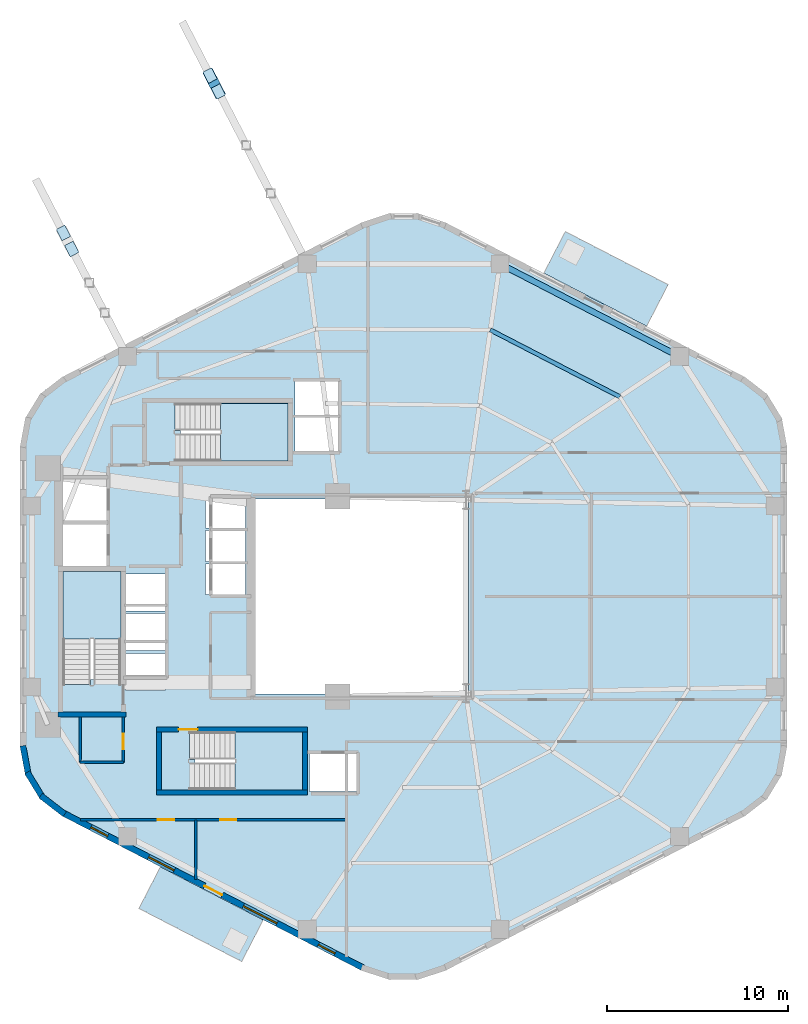
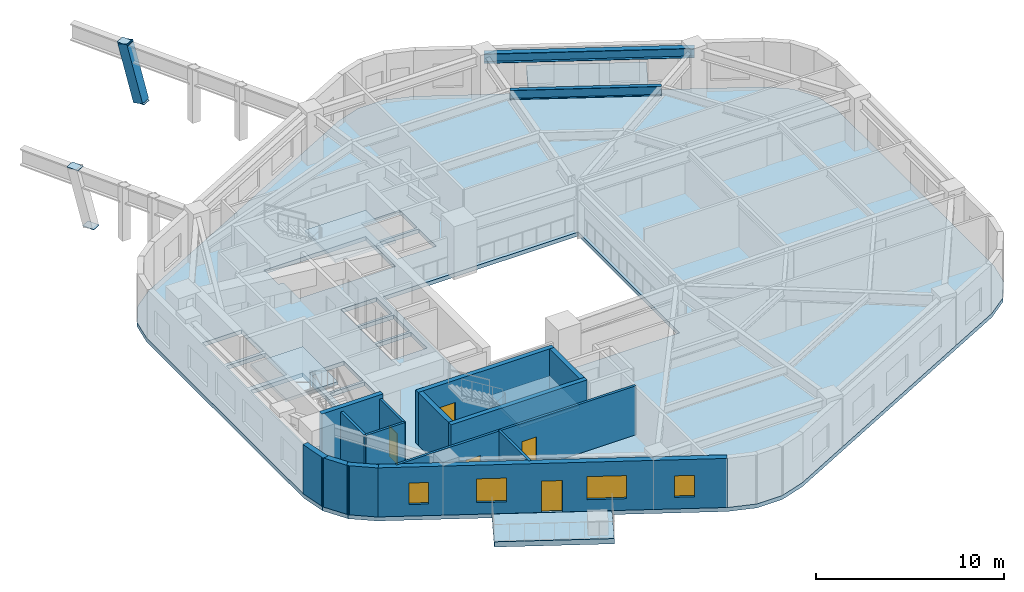
# One storey, part 2 of 8: 14 walls, 6 slabs, 5 doors, 4 plates, 4 windows, 2 beams, 1 member, 9 openings, 3 elements without a shape of their own.
"""IFC4 building model written with IfcOpenShell, lengths in metres."""

from ifc_helpers import new_model, si_unit, direction, frame, frame_2d, origin, origin_2d, place, context, subcontext, project, spatial, polyline, rectangle, hollow_rectangle, i_section, outline, extrude, material, layer, layer_set, material_profile, profile_set, type_object, element, fill, aggregate, save


model = new_model("IFC4")

# Units and contexts
model_context = context("Model", 3, precision=1e-05, world=origin(), true_north=direction((0.0, 1.0)))
body_context = subcontext(model_context, "Body", "Model", "MODEL_VIEW")
ifc_project = project(units=[si_unit("LENGTHUNIT", "METRE"), si_unit("AREAUNIT", "SQUARE_METRE"), si_unit("VOLUMEUNIT", "CUBIC_METRE"), si_unit("PLANEANGLEUNIT", "RADIAN"), si_unit("MASSUNIT", "GRAM", prefix="KILO"), si_unit("THERMODYNAMICTEMPERATUREUNIT", "KELVIN"), si_unit("POWERUNIT", "WATT")], contexts=[model_context])

# Site, building, storey
site_placement = place(None, origin())
site = spatial("IfcSite", under=ifc_project, at=site_placement, CompositionType="ELEMENT")
building_placement = place(site_placement, origin())
building = spatial("IfcBuilding", under=site, at=building_placement, Name="Skarre Station Tower", CompositionType="ELEMENT")
storey_placement = place(building_placement, frame((0.0, 0.0, 132.60009765625)))
storey = spatial("IfcBuildingStorey", under=building, at=storey_placement, Name="L35", CompositionType="ELEMENT", Elevation=132.60009765625)

# Beams
ifc_material_1 = material(Name="Steel ASTM A992 Grade 50", Category="steel")
ifc_material_profile_1 = material_profile(ifc_material_1, i_section(OverallWidth=0.22802734375, OverallDepth=0.60791015625, WebThickness=0.010986328125, FlangeThickness=0.01708984375, at=origin_2d()), Name="Steel ASTM A992 Grade 50")
ifc_profile_set_1 = profile_set([ifc_material_profile_1], Name="Steel ASTM A992 Grade 50")
beam_type_1 = type_object("IfcBeamType", Name="Steel Joist W24X76", PredefinedType="JOIST", material=ifc_profile_set_1)
beam_1_placement = place(storey_placement, frame((47.97607421875, 35.056884765625, 2.885986328125), z_axis=(-0.888599977053, 0.458682985057, 0.0), x_axis=(-0.458682985057, -0.888599977053, 0.0)))
element("IfcBeam", 1, at=beam_1_placement, inside=storey, type_object=beam_type_1, Name="L35 Secondary Floor Joist 2", PredefinedType="JOIST", context=body_context, shape_type="SweptSolid", body=[
    extrude(i_section(OverallWidth=0.22802734375, OverallDepth=0.60791015625, WebThickness=0.010986328125, FlangeThickness=0.01708984375, at=origin_2d()), origin(), (0.0, 0.0, 1.0), 8.0712890625),
])
ifc_material_profile_2 = material_profile(ifc_material_1, i_section(OverallWidth=0.327880859375, OverallDepth=0.6279296875, WebThickness=0.01708984375, FlangeThickness=0.028076171875, at=origin_2d()), Name="Steel ASTM A992 Grade 50")
ifc_profile_set_2 = profile_set([ifc_material_profile_2], Name="Steel ASTM A992 Grade 50")
beam_type_2 = type_object("IfcBeamType", Name="Steel Spandrel W24X146", PredefinedType="SPANDREL", material=ifc_profile_set_2)
beam_2_placement = place(storey_placement, frame((51.291015625, 37.277099609375, 2.8759765625), z_axis=(-0.888611779493, 0.458660119639, 0.0), x_axis=(-0.458660119639, -0.888611779493, 0.0)))
element("IfcBeam", 2, at=beam_2_placement, inside=storey, type_object=beam_type_2, Name="L35 Facet Spandrel Beam 1", PredefinedType="SPANDREL", context=body_context, shape_type="SweptSolid", body=[
    extrude(i_section(OverallWidth=0.327880859375, OverallDepth=0.6279296875, WebThickness=0.01708984375, FlangeThickness=0.028076171875, at=origin_2d()), origin(), (0.0, 0.0, 1.0), 11.20849609375),
])

# Member
ifc_material_2 = material(Name="Steel ASTM A501 Grade B", Category="steel")
ifc_material_profile_3 = material_profile(ifc_material_2, hollow_rectangle(XDim=0.60009765625, YDim=0.60009765625, WallThickness=0.028076171875, at=origin_2d()), Name="Steel ASTM A501 Grade B")
ifc_profile_set_3 = profile_set([ifc_material_profile_3], Name="Steel ASTM A501 Grade B")
member_type = type_object("IfcMemberType", Name="Steel Truss Strut HSS600X600X28", PredefinedType="STRUT", material=ifc_profile_set_3)
member_placement = place(storey_placement, frame((25.748046875, 51.952880859375, -0.280029296875), z_axis=(-0.127102829412, 0.24595749649, 0.960910911935), x_axis=(-0.888389389579, -0.459090723587, 0.0)))
element("IfcMember", 3, at=member_placement, inside=storey, type_object=member_type, Name="L35 SB-3 Exoskeleton Raking Strut Tier 3 S1", PredefinedType="STRUT", context=body_context, shape_type="SweptSolid", body=[
    extrude(hollow_rectangle(XDim=0.60009765625, YDim=0.60009765625, WallThickness=0.028076171875, at=origin_2d()), origin(), (0.0, 0.0, 1.0), 3.611083984375),
])

# Plates
ifc_material_3 = material(Name="Steel ASTM A572 Grade 50", Category="steel")
ifc_layer_1 = layer(ifc_material_3, 0.031982421875, Name="Steel ASTM A572 Grade 50")
ifc_layer_set_1 = layer_set([ifc_layer_1], Name="Steel ASTM A572 Grade 50")
plate_type = type_object("IfcPlateType", Name="Exoskeleton Strut Cap Plate 700x540x32", PredefinedType="USERDEFINED", material=ifc_layer_set_1)
for number, where, z_axis, x_axis, name in (
    (4, (25.748046875, 51.952880859375, -0.2861328125), (0.0, 0.0, 1.0), (-0.458649554484, 0.888617232655, 0.0), "L35 SB-3 Exoskeleton Tier-3 Base Gusset S1"),
    (5, (25.2890625, 52.841064453125, 3.1640625), (0.0, 0.0, 1.0), (-0.458649554484, 0.888617232655, 0.0), "L35 SB-3 Exoskeleton Tier-3 Head Gusset S1"),
    (6, (17.631103515625, 43.239990234375, -0.2861328125), (0.0, 0.0, 1.0), (-0.458649554484, 0.888617232655, 0.0), "L35 SB-3 Exoskeleton Tier-3 Base Gusset S2"),
    (7, (17.173095703125, 44.1279296875, 3.1640625), (0.0, 0.0, 1.0), (-0.458649554484, 0.888617232655, 0.0), "L35 SB-3 Exoskeleton Tier-3 Head Gusset S2"),
):
    element("IfcPlate", number, at=place(storey_placement, frame(where, z_axis=z_axis, x_axis=x_axis)), inside=storey, type_object=plate_type, Name=name, ObjectType="STIFFENER_PLATE", PredefinedType="USERDEFINED", context=body_context, shape_type="SweptSolid", body=[
        extrude(rectangle(XDim=0.699951171875, YDim=0.5400390625, at=origin_2d()), origin(), (0.0, 0.0, 1.0), 0.031982421875),
    ])

# Slabs
ifc_material_4 = material(Name="Precast concrete C50/60", Category="concrete")
ifc_layer_2 = layer(ifc_material_4, 0.340087890625, Name="Precast concrete C50/60")
ifc_layer_set_2 = layer_set([ifc_layer_2], Name="Precast concrete C50/60")
slab_type_1 = type_object("IfcSlabType", Name="Planted Tree-Balcony Cantilever Slab 340", PredefinedType="FLOOR", material=ifc_layer_set_2)
slab_1_placement = place(storey_placement, frame((0.0, 0.0, -0.340087890625)))
element("IfcSlab", 8, at=slab_1_placement, inside=storey, type_object=slab_type_1, Name="L35 Planted Tree-Balcony Deck TB-L35-F0", PredefinedType="FLOOR", context=body_context, shape_type="SweptSolid", body=[
    extrude(outline(polyline([(49.45703125, 38.966064453125), (43.77001953125, 41.902099609375), (44.9580078125, 44.202880859375), (50.64501953125, 41.26806640625), (49.45703125, 38.966064453125)])), origin(), (0.0, 0.0, 1.0), 0.340087890625),
])
slab_2_placement = place(storey_placement, frame((0.0, 0.0, -0.340087890625)))
element("IfcSlab", 9, at=slab_2_placement, inside=storey, type_object=slab_type_1, Name="L35 Planted Tree-Balcony Deck TB-L35-F3", PredefinedType="FLOOR", context=body_context, shape_type="SweptSolid", body=[
    extrude(outline(polyline([(22.54296875, 9.033935546875), (28.22998046875, 6.097900390625), (27.0419921875, 3.797119140625), (21.35498046875, 6.73193359375), (22.54296875, 9.033935546875)])), origin(), (0.0, 0.0, 1.0), 0.340087890625),
])

# Stair, slab
ifc_material_5 = material(Name="Concrete C40/50", Category="concrete")
stair_type_1 = type_object("IfcStairType", Name="Reinforced Concrete Exit Stair ST-1", PredefinedType="HALF_TURN_STAIR", material=ifc_material_5)
stair_1_placement = place(storey_placement, origin())
stair_1 = element("IfcStair", 10, at=stair_1_placement, inside=storey, type_object=stair_type_1, Name="L35 Core Exit Stair ST-1", PredefinedType="HALF_TURN_STAIR")
ifc_layer_3 = layer(ifc_material_5, 0.219970703125, Name="Concrete C40/50")
ifc_layer_set_3 = layer_set([ifc_layer_3], Name="Concrete C40/50")
slab_type_2 = type_object("IfcSlabType", Name="Reinforced Concrete Stair & Ramp Landing 220", PredefinedType="LANDING", material=ifc_layer_set_3)
slab_3_placement = place(storey_placement, frame((0.0, 0.0, 1.52490234375)))
slab_3 = element("IfcSlab", 11, at=slab_3_placement, type_object=slab_type_2, Name="ST-1 landing 1", PredefinedType="LANDING", context=body_context, shape_type="SweptSolid", body=[
    extrude(outline(polyline([(20.35009765625, 21.639892578125), (20.35009765625, 25.39990234375), (17.14990234375, 25.39990234375), (17.14990234375, 21.639892578125), (20.35009765625, 21.639892578125)])), origin(), (0.0, 0.0, 1.0), 0.199951171875),
])
aggregate(stair_1, [slab_3])

stair_type_2 = type_object("IfcStairType", Name="Reinforced Concrete Exit Stair ST-2", PredefinedType="HALF_TURN_STAIR", material=ifc_material_5)
stair_2_placement = place(storey_placement, origin())
stair_2 = element("IfcStair", 12, at=stair_2_placement, inside=storey, type_object=stair_type_2, Name="L35 Core Exit Stair ST-2", PredefinedType="HALF_TURN_STAIR")
slab_4_placement = place(storey_placement, frame((0.0, 0.0, 1.52490234375)))
slab_4 = element("IfcSlab", 13, at=slab_4_placement, type_object=slab_type_2, Name="ST-2 landing 1", PredefinedType="LANDING", context=body_context, shape_type="SweptSolid", body=[
    extrude(outline(polyline([(26.669921875, 13.300048828125), (30.39990234375, 13.300048828125), (30.39990234375, 16.5), (26.669921875, 16.5), (26.669921875, 13.300048828125)])), origin(), (0.0, 0.0, 1.0), 0.199951171875),
])
aggregate(stair_2, [slab_4])

stair_type_3 = type_object("IfcStairType", Name="Reinforced Concrete Exit Stair ST-3", PredefinedType="HALF_TURN_STAIR", material=ifc_material_5)
stair_3_placement = place(storey_placement, origin())
stair_3 = element("IfcStair", 14, at=stair_3_placement, inside=storey, type_object=stair_type_3, Name="L35 Core Exit Stair ST-3", PredefinedType="HALF_TURN_STAIR")
slab_5_placement = place(storey_placement, frame((0.0, 0.0, 1.52490234375)))
slab_5 = element("IfcSlab", 15, at=slab_5_placement, type_object=slab_type_2, Name="ST-3 landing 1", PredefinedType="LANDING", context=body_context, shape_type="SweptSolid", body=[
    extrude(outline(polyline([(25.8701171875, 31.5), (29.60009765625, 31.5), (29.60009765625, 34.699951171875), (25.8701171875, 34.699951171875), (25.8701171875, 31.5)])), origin(), (0.0, 0.0, 1.0), 0.199951171875),
])
aggregate(stair_3, [slab_5])

# Slab
ifc_material_6 = material(Name="Concrete C50/60", Category="concrete")
ifc_layer_4 = layer(ifc_material_6, 0.260009765625, Name="Concrete C50/60")
ifc_layer_set_4 = layer_set([ifc_layer_4], Name="Concrete C50/60")
slab_type_3 = type_object("IfcSlabType", Name="Tower Typical Composite Floor Slab 260", PredefinedType="FLOOR", material=ifc_layer_set_4)
slab_6_placement = place(storey_placement, frame((0.0, 0.0, -0.260009765625)))
element("IfcSlab", 16, at=slab_6_placement, inside=storey, type_object=slab_type_3, Name="L35 Zone 2 Structural Floor Slab", PredefinedType="FLOOR", context=body_context, shape_type="SweptSolid", body=[
    extrude(outline(polyline([(57.218017578125, 32.35205078125), (56.93701171875, 33.873046875), (56.132080078125, 35.194091796875), (54.908935546875, 36.14111328125), (38.30908203125, 44.708984375), (36.7958984375, 45.2060546875), (35.2041015625, 45.2060546875), (33.69091796875, 44.708984375), (17.091064453125, 36.14111328125), (15.867919921875, 35.194091796875), (15.06298828125, 33.873046875), (14.781982421875, 32.35205078125), (14.781982421875, 15.64794921875), (15.06298828125, 14.126953125), (15.867919921875, 12.805908203125), (17.091064453125, 11.85888671875), (33.69091796875, 3.291015625), (35.2041015625, 2.7939453125), (36.7958984375, 2.7939453125), (38.30908203125, 3.291015625), (54.908935546875, 11.85888671875), (56.132080078125, 12.805908203125), (56.93701171875, 14.126953125), (57.218017578125, 15.64794921875), (57.218017578125, 32.35205078125)]), holes=[polyline([(18.669921875, 19.419921875), (18.669921875, 19.123046875), (17.14990234375, 19.123046875), (17.14990234375, 25.39990234375), (20.35009765625, 25.39990234375), (20.35009765625, 19.419921875), (18.669921875, 19.419921875)]), polyline([(24.449951171875, 14.97998046875), (24.153076171875, 14.97998046875), (24.153076171875, 16.5), (30.39990234375, 16.5), (30.39990234375, 13.300048828125), (24.449951171875, 13.300048828125), (24.449951171875, 14.97998046875)]), polyline([(23.64990234375, 33.179931640625), (23.35302734375, 33.179931640625), (23.35302734375, 34.699951171875), (29.60009765625, 34.699951171875), (29.60009765625, 31.5), (23.64990234375, 31.5), (23.64990234375, 33.179931640625)]), polyline([(17.14990234375, 28.0), (19.550048828125, 28.0), (19.550048828125, 25.699951171875), (17.14990234375, 25.699951171875), (17.14990234375, 28.0)]), polyline([(17.14990234375, 30.5), (19.550048828125, 30.5), (19.550048828125, 28.199951171875), (17.14990234375, 28.199951171875), (17.14990234375, 30.5)]), polyline([(30.800048828125, 15.300048828125), (33.39990234375, 15.300048828125), (33.39990234375, 13.199951171875), (30.800048828125, 13.199951171875), (30.800048828125, 15.300048828125)]), polyline([(25.050048828125, 25.800048828125), (27.25, 25.800048828125), (27.25, 24.10009765625), (25.050048828125, 24.10009765625), (25.050048828125, 25.800048828125)]), polyline([(25.050048828125, 27.64990234375), (27.25, 27.64990234375), (27.25, 25.949951171875), (25.050048828125, 25.949951171875), (25.050048828125, 27.64990234375)]), polyline([(25.050048828125, 29.5), (27.25, 29.5), (27.25, 27.800048828125), (25.050048828125, 27.800048828125), (25.050048828125, 29.5)]), polyline([(20.64990234375, 20.85009765625), (22.800048828125, 20.85009765625), (22.800048828125, 18.800048828125), (20.64990234375, 18.800048828125), (20.64990234375, 20.85009765625)]), polyline([(20.64990234375, 23.050048828125), (22.800048828125, 23.050048828125), (22.800048828125, 21.0), (20.64990234375, 21.0), (20.64990234375, 23.050048828125)]), polyline([(20.64990234375, 25.25), (22.800048828125, 25.25), (22.800048828125, 23.199951171875), (20.64990234375, 23.199951171875), (20.64990234375, 25.25)]), polyline([(30.0, 33.89990234375), (32.39990234375, 33.89990234375), (32.39990234375, 32.050048828125), (30.0, 32.050048828125), (30.0, 33.89990234375)]), polyline([(30.0, 35.89990234375), (32.39990234375, 35.89990234375), (32.39990234375, 34.050048828125), (30.0, 34.050048828125), (30.0, 35.89990234375)]), polyline([(27.60009765625, 29.39990234375), (39.60009765625, 29.39990234375), (39.60009765625, 18.60009765625), (27.60009765625, 18.60009765625), (27.60009765625, 29.39990234375)])]), origin(), (0.0, 0.0, 1.0), 0.260009765625),
])

# Walls
ifc_material_7 = material(Name="Acoustic Steel-Stud Gypsum Partition", Category="steel")
ifc_layer_5 = layer(ifc_material_7, 0.14990234375, Name="Acoustic Steel-Stud Gypsum Partition")
ifc_layer_set_5 = layer_set([ifc_layer_5], Name="Acoustic Steel-Stud Gypsum Partition")
wall_type_1 = type_object("IfcWallType", Name="Fire-Rated Corridor Acoustic Partition 150", PredefinedType="PARTITIONING", material=ifc_layer_set_5)
wall_1_placement = place(storey_placement, frame((18.10009765625, 17.340087890625, 0.0), z_axis=(0.0, 0.0, 1.0), x_axis=(0.0, -1.0, 0.0)))
element("IfcWall", 17, at=wall_1_placement, inside=storey, type_object=wall_type_1, Name="L35 Interior Partition WL-PT-L35-CSVC-W", PredefinedType="PARTITIONING", context=body_context, shape_type="SweptSolid", body=[
    extrude(rectangle(XDim=2.52001953125, YDim=0.14990234375, at=frame_2d((1.260009765625, 0.0))), origin(), (0.0, 0.0, 1.0), 3.18994140625),
])
wall_2_placement = place(storey_placement, frame((18.10009765625, 14.820068359375, 0.0), z_axis=(0.0, 0.0, 1.0), x_axis=(1.0, 0.0, 0.0)))
element("IfcWall", 18, at=wall_2_placement, inside=storey, type_object=wall_type_1, Name="L35 Interior Partition WL-PT-L35-CSVC-S", PredefinedType="PARTITIONING", context=body_context, shape_type="SweptSolid", body=[
    extrude(rectangle(XDim=2.389892578125, YDim=0.14990234375, at=frame_2d((1.19482421875, 0.0))), origin(), (0.0, 0.0, 1.0), 3.18994140625),
])

# Wall, opening, door
wall_3_placement = place(storey_placement, frame((20.489990234375, 14.820068359375, 0.0), z_axis=(0.0, 0.0, 1.0), x_axis=(0.0, 1.0, 0.0)))
wall_3 = element("IfcWall", 19, at=wall_3_placement, inside=storey, type_object=wall_type_1, Name="L35 Interior Partition WL-PT-L35-CSVC-E", PredefinedType="PARTITIONING", context=body_context, shape_type="SweptSolid", body=[
    extrude(rectangle(XDim=2.52001953125, YDim=0.14990234375, at=frame_2d((1.260009765625, 0.0))), origin(), (0.0, 0.0, 1.0), 3.18994140625),
])
opening_1_placement = place(wall_3_placement, frame((0.719970703125, 0.0, 0.0)))
opening_1 = element("IfcOpeningElement", 20, at=opening_1_placement, cuts=wall_3, Name="Opening DR-SVC86", PredefinedType="OPENING", context=body_context, shape_type="SweptSolid", body=[
    extrude(rectangle(XDim=0.860107421875, YDim=2.0, at=frame_2d((0.43017578125, 1.0))), frame((0.0, 0.0849609375, 0.0), z_axis=(0.0, -1.0, 0.0), x_axis=(1.0, 0.0, 0.0)), (0.0, 0.0, 1.0), 0.169921875),
])
ifc_material_8 = material(Name="Powder-Coated Hollow-Metal Acoustic Fire Leaf", Category="steel")
door_type_1 = type_object("IfcDoorType", Name="Compact Riser Fire Door FD60 860x2100", OperationType="SINGLE_SWING_LEFT", PredefinedType="DOOR", material=ifc_material_8)
door_1_placement = place(opening_1_placement, origin())
door_1 = element("IfcDoor", 21, at=door_1_placement, inside=storey, type_object=door_type_1, Name="L35 Core Staff Toilet Door", OperationType="SINGLE_SWING_LEFT", OverallHeight=2.0, OverallWidth=0.860107421875, PredefinedType="DOOR", context=body_context, shape_type="SweptSolid", body=[
    extrude(rectangle(XDim=0.860107421875, YDim=2.0, at=frame_2d((0.43017578125, 1.0))), frame((0.0, 0.02490234375, 0.0), z_axis=(0.0, -1.0, 0.0), x_axis=(1.0, 0.0, 0.0)), (0.0, 0.0, 1.0), 0.050048828125),
])
fill(opening_1, door_1)

# Wall
wall_4_placement = place(storey_placement, frame((24.5, 8.35009765625, 0.0), z_axis=(0.0, 0.0, 1.0), x_axis=(0.0, 1.0, 0.0)))
element("IfcWall", 22, at=wall_4_placement, inside=storey, type_object=wall_type_1, Name="L35 Interior Partition WL-PT-L35-SWP-M", PredefinedType="PARTITIONING", context=body_context, shape_type="SweptSolid", body=[
    extrude(rectangle(XDim=3.289794921875, YDim=0.14990234375, at=frame_2d((1.64501953125, 0.0))), origin(), (0.0, 0.0, 1.0), 3.18994140625),
])

# Wall, openings, doors
wall_5_placement = place(storey_placement, frame((18.1259765625, 11.639892578125, 0.0), z_axis=(0.0, 0.0, 1.0), x_axis=(1.0, 0.0, 0.0)))
wall_5 = element("IfcWall", 23, at=wall_5_placement, inside=storey, type_object=wall_type_1, Name="L35 Interior Partition WL-PT-L35-SWP-N", PredefinedType="PARTITIONING", context=body_context, shape_type="SweptSolid", body=[
    extrude(rectangle(XDim=14.72412109375, YDim=0.14990234375, at=frame_2d((7.362060546875, 0.0))), origin(), (0.0, 0.0, 1.0), 3.18994140625),
])
opening_2_placement = place(wall_5_placement, frame((4.27392578125, 0.0, 0.0)))
opening_2 = element("IfcOpeningElement", 24, at=opening_2_placement, cuts=wall_5, Name="Opening DR-SVC90", PredefinedType="OPENING", context=body_context, shape_type="SweptSolid", body=[
    extrude(rectangle(XDim=0.89990234375, YDim=2.0, at=frame_2d((0.449951171875, 1.0))), frame((0.0, 0.0849609375, 0.0), z_axis=(0.0, -1.0, 0.0), x_axis=(1.0, 0.0, 0.0)), (0.0, 0.0, 1.0), 0.169921875),
])
opening_3_placement = place(wall_5_placement, frame((7.72412109375, 0.0, 0.0)))
opening_3 = element("IfcOpeningElement", 25, at=opening_3_placement, cuts=wall_5, Name="Opening DR-SVC90", PredefinedType="OPENING", context=body_context, shape_type="SweptSolid", body=[
    extrude(rectangle(XDim=0.89990234375, YDim=2.0, at=frame_2d((0.449951171875, 1.0))), frame((0.0, 0.0849609375, 0.0), z_axis=(0.0, -1.0, 0.0), x_axis=(1.0, 0.0, 0.0)), (0.0, 0.0, 1.0), 0.169921875),
])
door_type_2 = type_object("IfcDoorType", Name="Service & Riser Fire Door FD60 900x2100", OperationType="SINGLE_SWING_LEFT", PredefinedType="DOOR", material=ifc_material_8)
door_2_placement = place(opening_2_placement, origin())
door_2 = element("IfcDoor", 26, at=door_2_placement, inside=storey, type_object=door_type_2, Name="L35 Floor Public Toilets Door", OperationType="SINGLE_SWING_LEFT", OverallHeight=2.0, OverallWidth=0.89990234375, PredefinedType="DOOR", context=body_context, shape_type="SweptSolid", body=[
    extrude(rectangle(XDim=0.89990234375, YDim=2.0, at=frame_2d((0.449951171875, 1.0))), frame((0.0, 0.02490234375, 0.0), z_axis=(0.0, -1.0, 0.0), x_axis=(1.0, 0.0, 0.0)), (0.0, 0.0, 1.0), 0.050048828125),
])
fill(opening_2, door_2)
door_3_placement = place(opening_3_placement, origin())
door_3 = element("IfcDoor", 27, at=door_3_placement, inside=storey, type_object=door_type_2, Name="L35 Housekeeping Room Door", OperationType="SINGLE_SWING_LEFT", OverallHeight=2.0, OverallWidth=0.89990234375, PredefinedType="DOOR", context=body_context, shape_type="SweptSolid", body=[
    extrude(rectangle(XDim=0.89990234375, YDim=2.0, at=frame_2d((0.449951171875, 1.0))), frame((0.0, 0.02490234375, 0.0), z_axis=(0.0, -1.0, 0.0), x_axis=(1.0, 0.0, 0.0)), (0.0, 0.0, 1.0), 0.050048828125),
])
fill(opening_3, door_3)

# Wall, openings, windows, door
ifc_material_9 = material(Name="Precast concrete C45/55", Category="concrete")
ifc_layer_6 = layer(ifc_material_9, 0.340087890625, Name="Precast concrete C45/55")
ifc_layer_set_6 = layer_set([ifc_layer_6], Name="Precast concrete C45/55")
wall_type_2 = type_object("IfcWallType", Name="Nordic Honed Precast Facet Wall 340", PredefinedType="STANDARD", material=ifc_layer_set_6)
wall_6_placement = place(storey_placement, frame((33.76904296875, 3.44189453125, 0.0), z_axis=(0.0, 0.0, 1.0), x_axis=(-0.888613612362, 0.458656568606, 0.0)))
wall_6 = element("IfcWall", 28, at=wall_6_placement, inside=storey, type_object=wall_type_2, Name="L35 Facet 3 Nordic Precast Masonry Wall", PredefinedType="STANDARD", context=body_context, shape_type="SweptSolid", body=[
    extrude(rectangle(XDim=18.680908203125, YDim=0.340087890625, at=frame_2d((9.34033203125, 0.0))), origin(), (0.0, 0.0, 1.0), 3.18994140625),
])
opening_4_placement = place(wall_6_placement, frame((8.7900390625, 0.0, 0.0)))
opening_4 = element("IfcOpeningElement", 29, at=opening_4_placement, cuts=wall_6, Name="Opening DR-BAL110", PredefinedType="OPENING", context=body_context, shape_type="SweptSolid", body=[
    extrude(rectangle(XDim=1.10009765625, YDim=2.0400390625, at=frame_2d((0.550048828125, 1.02001953125))), frame((0.0, 0.179931640625, 0.0), z_axis=(0.0, -1.0, 0.0), x_axis=(1.0, 0.0, 0.0)), (0.0, 0.0, 1.0), 0.360107421875),
])
opening_5_placement = place(wall_6_placement, frame((1.75, 0.0, 0.75)))
opening_5 = element("IfcOpeningElement", 30, at=opening_5_placement, cuts=wall_6, Name="Opening WN-SLT", PredefinedType="OPENING", context=body_context, shape_type="SweptSolid", body=[
    extrude(rectangle(XDim=1.050048828125, YDim=1.39990234375, at=frame_2d((0.52490234375, 0.699951171875))), frame((0.0, 0.179931640625, 0.0), z_axis=(0.0, -1.0, 0.0), x_axis=(1.0, 0.0, 0.0)), (0.0, 0.0, 1.0), 0.360107421875),
])
opening_6_placement = place(wall_6_placement, frame((5.373046875, 0.0, 0.75)))
opening_6 = element("IfcOpeningElement", 31, at=opening_6_placement, cuts=wall_6, Name="Opening WN-Z2B", PredefinedType="OPENING", context=body_context, shape_type="SweptSolid", body=[
    extrude(rectangle(XDim=2.10009765625, YDim=1.5, at=frame_2d((1.050048828125, 0.75))), frame((0.0, 0.179931640625, 0.0), z_axis=(0.0, -1.0, 0.0), x_axis=(1.0, 0.0, 0.0)), (0.0, 0.0, 1.0), 0.360107421875),
])
opening_7_placement = place(wall_6_placement, frame((11.77392578125, 0.0, 0.75)))
opening_7 = element("IfcOpeningElement", 32, at=opening_7_placement, cuts=wall_6, Name="Opening WN-Z2A", PredefinedType="OPENING", context=body_context, shape_type="SweptSolid", body=[
    extrude(rectangle(XDim=1.60009765625, YDim=1.550048828125, at=frame_2d((0.800048828125, 0.77490234375))), frame((0.0, 0.179931640625, 0.0), z_axis=(0.0, -1.0, 0.0), x_axis=(1.0, 0.0, 0.0)), (0.0, 0.0, 1.0), 0.360107421875),
])
opening_8_placement = place(wall_6_placement, frame((15.919921875, 0.0, 0.75)))
opening_8 = element("IfcOpeningElement", 33, at=opening_8_placement, cuts=wall_6, Name="Opening WN-SLT", PredefinedType="OPENING", context=body_context, shape_type="SweptSolid", body=[
    extrude(rectangle(XDim=1.050048828125, YDim=1.39990234375, at=frame_2d((0.52490234375, 0.699951171875))), frame((0.0, 0.179931640625, 0.0), z_axis=(0.0, -1.0, 0.0), x_axis=(1.0, 0.0, 0.0)), (0.0, 0.0, 1.0), 0.360107421875),
])
ifc_material_10 = material(Name="Low-Iron Triple Glazing with Bronze Anodized Frame", Category="glass")
window_type_1 = type_object("IfcWindowType", Name="Nordic Corner Slot Window 1050x1400", PartitioningType="SINGLE_PANEL", PredefinedType="WINDOW", material=ifc_material_10)
window_1_placement = place(opening_5_placement, origin())
window_1 = element("IfcWindow", 34, at=window_1_placement, inside=storey, type_object=window_type_1, Name="L35 Facade Window WL-FAC-L35-F3-1", OverallHeight=1.39990234375, OverallWidth=1.050048828125, PartitioningType="SINGLE_PANEL", PredefinedType="WINDOW", context=body_context, shape_type="SweptSolid", body=[
    extrude(rectangle(XDim=1.050048828125, YDim=1.39990234375, at=frame_2d((0.52490234375, 0.699951171875))), frame((0.0, 0.030029296875, 0.0), z_axis=(0.0, -1.0, 0.0), x_axis=(1.0, 0.0, 0.0)), (0.0, 0.0, 1.0), 0.06005859375),
])
fill(opening_5, window_1)
window_2_placement = place(opening_8_placement, origin())
window_2 = element("IfcWindow", 35, at=window_2_placement, inside=storey, type_object=window_type_1, Name="L35 Facade Window WL-FAC-L35-F3-4", OverallHeight=1.39990234375, OverallWidth=1.050048828125, PartitioningType="SINGLE_PANEL", PredefinedType="WINDOW", context=body_context, shape_type="SweptSolid", body=[
    extrude(rectangle(XDim=1.050048828125, YDim=1.39990234375, at=frame_2d((0.52490234375, 0.699951171875))), frame((0.0, 0.030029296875, 0.0), z_axis=(0.0, -1.0, 0.0), x_axis=(1.0, 0.0, 0.0)), (0.0, 0.0, 1.0), 0.06005859375),
])
fill(opening_8, window_2)
window_type_2 = type_object("IfcWindowType", Name="Nordic Residential Tall Window 1600x1550", PartitioningType="SINGLE_PANEL", PredefinedType="WINDOW", material=ifc_material_10)
window_3_placement = place(opening_7_placement, origin())
window_3 = element("IfcWindow", 36, at=window_3_placement, inside=storey, type_object=window_type_2, Name="L35 Facade Window WL-FAC-L35-F3-3", OverallHeight=1.550048828125, OverallWidth=1.60009765625, PartitioningType="SINGLE_PANEL", PredefinedType="WINDOW", context=body_context, shape_type="SweptSolid", body=[
    extrude(rectangle(XDim=1.60009765625, YDim=1.550048828125, at=frame_2d((0.800048828125, 0.77490234375))), frame((0.0, 0.030029296875, 0.0), z_axis=(0.0, -1.0, 0.0), x_axis=(1.0, 0.0, 0.0)), (0.0, 0.0, 1.0), 0.06005859375),
])
fill(opening_7, window_3)
window_type_3 = type_object("IfcWindowType", Name="Nordic Residential Twin Window 2100x1500", PartitioningType="SINGLE_PANEL", PredefinedType="WINDOW", material=ifc_material_10)
window_4_placement = place(opening_6_placement, origin())
window_4 = element("IfcWindow", 37, at=window_4_placement, inside=storey, type_object=window_type_3, Name="L35 Facade Window WL-FAC-L35-F3-2", OverallHeight=1.5, OverallWidth=2.10009765625, PartitioningType="SINGLE_PANEL", PredefinedType="WINDOW", context=body_context, shape_type="SweptSolid", body=[
    extrude(rectangle(XDim=2.10009765625, YDim=1.5, at=frame_2d((1.050048828125, 0.75))), frame((0.0, 0.030029296875, 0.0), z_axis=(0.0, -1.0, 0.0), x_axis=(1.0, 0.0, 0.0)), (0.0, 0.0, 1.0), 0.06005859375),
])
fill(opening_6, window_4)
ifc_material_11 = material(Name="Thermally Broken Aluminium & Triple Glazing", Category="aluminium")
door_type_3 = type_object("IfcDoorType", Name="Terrace & Tree-Balcony Glazed Door 1100x2200", OperationType="SINGLE_SWING_LEFT", PredefinedType="DOOR", material=ifc_material_11)
door_4_placement = place(opening_4_placement, origin())
door_4 = element("IfcDoor", 38, at=door_4_placement, inside=storey, type_object=door_type_3, Name="L35 TB-L35-F3 Tree-Balcony Glazed Door", OperationType="SINGLE_SWING_LEFT", OverallHeight=2.0400390625, OverallWidth=1.10009765625, PredefinedType="DOOR", context=body_context, shape_type="SweptSolid", body=[
    extrude(rectangle(XDim=1.10009765625, YDim=2.0400390625, at=frame_2d((0.550048828125, 1.02001953125))), frame((0.0, 0.02490234375, 0.0), z_axis=(0.0, -1.0, 0.0), x_axis=(1.0, 0.0, 0.0)), (0.0, 0.0, 1.0), 0.050048828125),
])
fill(opening_4, door_4)

# Walls
ifc_layer_7 = layer(ifc_material_9, 0.330078125, Name="Precast concrete C45/55")
ifc_layer_set_7 = layer_set([ifc_layer_7], Name="Precast concrete C45/55")
wall_type_3 = type_object("IfcWallType", Name="Nordic Rounded Corner Precast Wall 330", PredefinedType="STANDARD", material=ifc_layer_set_7)
wall_7_placement = place(storey_placement, frame((17.242919921875, 11.949951171875, 0.0), z_axis=(0.0, 0.0, 1.0), x_axis=(-0.790621329885, 0.612305408053, 0.0)))
element("IfcWall", 39, at=wall_7_placement, inside=storey, type_object=wall_type_3, Name="L35 Rounded Corner Precast Wall F3-1", PredefinedType="STANDARD", context=body_context, shape_type="SweptSolid", body=[
    extrude(rectangle(XDim=1.67578125, YDim=0.330078125, at=frame_2d((0.837890625, 0.0))), origin(), (0.0, 0.0, 1.0), 3.18994140625),
])
wall_8_placement = place(storey_placement, frame((16.04296875, 12.8359375, 0.0), z_axis=(0.0, 0.0, 1.0), x_axis=(-0.520519429557, 0.853849824883, 0.0)))
element("IfcWall", 40, at=wall_8_placement, inside=storey, type_object=wall_type_3, Name="L35 Rounded Corner Precast Wall F3-2", PredefinedType="STANDARD", context=body_context, shape_type="SweptSolid", body=[
    extrude(rectangle(XDim=1.67724609375, YDim=0.330078125, at=frame_2d((0.838623046875, 0.0))), origin(), (0.0, 0.0, 1.0), 3.18994140625),
])
wall_9_placement = place(storey_placement, frame((15.237060546875, 14.093017578125, 0.0), z_axis=(0.0, 0.0, 1.0), x_axis=(-0.181984991895, 0.983301308209, 0.0)))
element("IfcWall", 41, at=wall_9_placement, inside=storey, type_object=wall_type_3, Name="L35 Rounded Corner Precast Wall F3-3", PredefinedType="STANDARD", context=body_context, shape_type="SweptSolid", body=[
    extrude(rectangle(XDim=1.677001953125, YDim=0.330078125, at=frame_2d((0.83837890625, 0.0))), origin(), (0.0, 0.0, 1.0), 3.18994140625),
])
ifc_layer_8 = layer(ifc_material_6, 0.280029296875, Name="Concrete C50/60")
ifc_layer_set_8 = layer_set([ifc_layer_8], Name="Concrete C50/60")
wall_type_4 = type_object("IfcWallType", Name="RC Core Shear Wall 280", PredefinedType="SHEAR", material=ifc_layer_set_8)
wall_10_placement = place(storey_placement, frame((16.8701171875, 17.4599609375, 0.0), z_axis=(0.0, 0.0, 1.0), x_axis=(1.0, 0.0, 0.0)))
element("IfcWall", 42, at=wall_10_placement, inside=storey, type_object=wall_type_4, Name="L35 Stair ST-1 South Shear Wall", PredefinedType="SHEAR", context=body_context, shape_type="SweptSolid", body=[
    extrude(rectangle(XDim=3.759765625, YDim=0.280029296875, at=frame_2d((1.8798828125, 0.0))), origin(), (0.0, 0.0, 1.0), 3.449951171875),
])
wall_11_placement = place(storey_placement, frame((22.320068359375, 13.159912109375, 0.0), z_axis=(0.0, 0.0, 1.0), x_axis=(1.0, 0.0, 0.0)))
element("IfcWall", 43, at=wall_11_placement, inside=storey, type_object=wall_type_4, Name="L35 Stair ST-2 South Shear Wall", PredefinedType="SHEAR", context=body_context, shape_type="SweptSolid", body=[
    extrude(rectangle(XDim=8.35986328125, YDim=0.280029296875, at=frame_2d((4.179931640625, 0.0))), origin(), (0.0, 0.0, 1.0), 3.449951171875),
])

# Wall, opening, door
wall_12_placement = place(storey_placement, frame((30.679931640625, 16.639892578125, 0.0), z_axis=(0.0, 0.0, 1.0), x_axis=(-1.0, 0.0, 0.0)))
wall_12 = element("IfcWall", 44, at=wall_12_placement, inside=storey, type_object=wall_type_4, Name="L35 Stair ST-2 North Shear Wall", PredefinedType="SHEAR", context=body_context, shape_type="SweptSolid", body=[
    extrude(rectangle(XDim=8.35986328125, YDim=0.280029296875, at=frame_2d((4.179931640625, 0.0))), origin(), (0.0, 0.0, 1.0), 3.449951171875),
])
opening_9_placement = place(wall_12_placement, frame((6.080078125, 0.0, 0.0)))
opening_9 = element("IfcOpeningElement", 45, at=opening_9_placement, cuts=wall_12, Name="Opening DR-FD90", PredefinedType="OPENING", context=body_context, shape_type="SweptSolid", body=[
    extrude(rectangle(XDim=1.050048828125, YDim=2.0, at=frame_2d((0.52490234375, 1.0))), frame((0.0, 0.14990234375, 0.0), z_axis=(0.0, -1.0, 0.0), x_axis=(1.0, 0.0, 0.0)), (0.0, 0.0, 1.0), 0.300048828125),
])
ifc_material_12 = material(Name="Fire-Rated Insulated Steel Frame & Timber Core Leaf", Category="steel")
door_type_4 = type_object("IfcDoorType", Name="Stair & FSAE Lobby Fire Door FD90 1050x2150", OperationType="SINGLE_SWING_RIGHT", PredefinedType="DOOR", material=ifc_material_12)
door_5_placement = place(opening_9_placement, origin())
door_5 = element("IfcDoor", 46, at=door_5_placement, inside=storey, type_object=door_type_4, Name="L35 Stair ST-2 Exit Door", OperationType="SINGLE_SWING_RIGHT", OverallHeight=2.0, OverallWidth=1.050048828125, PredefinedType="DOOR", context=body_context, shape_type="SweptSolid", body=[
    extrude(rectangle(XDim=1.050048828125, YDim=2.0, at=frame_2d((0.52490234375, 1.0))), frame((0.0, 0.02490234375, 0.0), z_axis=(0.0, -1.0, 0.0), x_axis=(1.0, 0.0, 0.0)), (0.0, 0.0, 1.0), 0.050048828125),
])
fill(opening_9, door_5)

# Walls
for number, where, z_axis, x_axis, name in (
    (47, (22.4599609375, 16.5, 0.0), (0.0, 0.0, 1.0), (0.0, -1.0, 0.0), "L35 Stair ST-2 West Shear Wall"),
    (48, (30.5400390625, 13.300048828125, 0.0), (0.0, 0.0, 1.0), (0.0, 1.0, 0.0), "L35 Stair ST-2 East Shear Wall"),
):
    element("IfcWall", number, at=place(storey_placement, frame(where, z_axis=z_axis, x_axis=x_axis)), inside=storey, type_object=wall_type_4, Name=name, PredefinedType="SHEAR", context=body_context, shape_type="SweptSolid", body=[
        extrude(rectangle(XDim=3.199951171875, YDim=0.280029296875, at=frame_2d((1.60009765625, 0.0))), origin(), (0.0, 0.0, 1.0), 3.449951171875),
    ])

save(model, "model.ifc")
